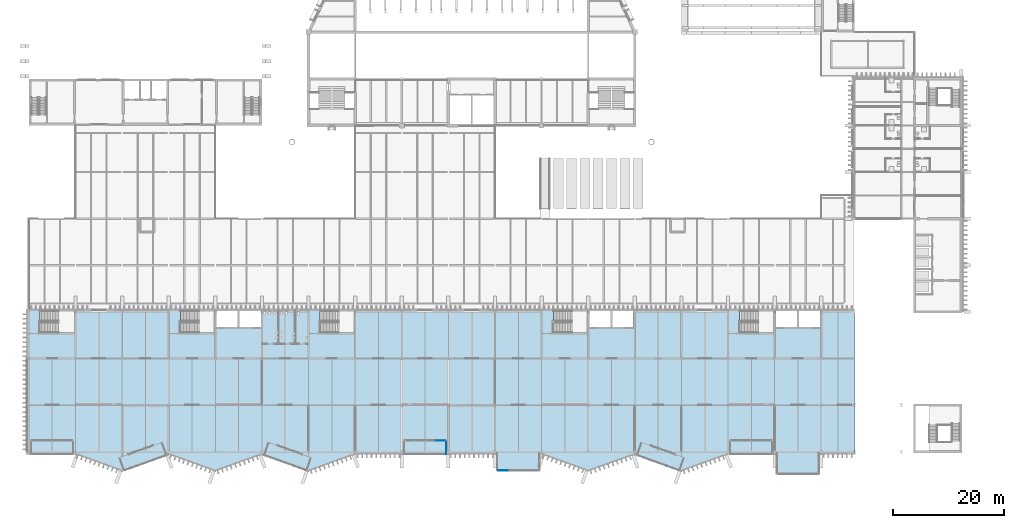
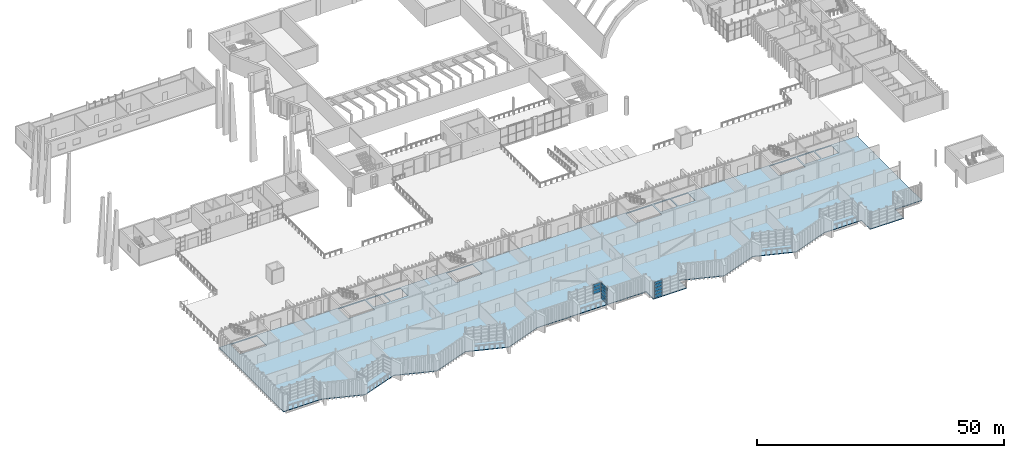
# One storey, part 48 of 96: 13 plates, 1 slab, 3 elements without a shape of their own.
"""IFC4 building model written with IfcOpenShell, lengths in metres."""

from ifc_helpers import new_model, si_unit, direction, frame, origin, origin_2d, place, context, subcontext, project, spatial, polyline, rectangle, outline, extrude, material, layer, layer_set, type_object, element, aggregate, save


model = new_model("IFC4")

# Units and contexts
model_context = context("Model", 3, precision=1e-05, world=origin(), true_north=direction((0.0, 1.0)))
body_context = subcontext(model_context, "Body", "Model", "MODEL_VIEW")
ifc_project = project(units=[si_unit("LENGTHUNIT", "METRE"), si_unit("AREAUNIT", "SQUARE_METRE"), si_unit("VOLUMEUNIT", "CUBIC_METRE"), si_unit("PLANEANGLEUNIT", "RADIAN"), si_unit("MASSUNIT", "GRAM", prefix="KILO")], contexts=[model_context])

# Site, building, storey
site_placement = place(None, origin())
site = spatial("IfcSite", under=ifc_project, at=site_placement, CompositionType="ELEMENT")
building_placement = place(site_placement, origin())
building = spatial("IfcBuilding", under=site, at=building_placement, Name="Cresset Court Congress Hotel", CompositionType="ELEMENT")
storey_placement = place(building_placement, frame((0.0, 0.0, 6.0)))
storey = spatial("IfcBuildingStorey", under=building, at=storey_placement, Name="L01", CompositionType="ELEMENT", Elevation=6.0)

# Curtain wall, plates
ifc_material_1 = material(Name="Aluminium frame with double glazing", Category="aluminium")
ifc_layer_1 = layer(ifc_material_1, 0.199951171875)
ifc_layer_set_1 = layer_set([ifc_layer_1], Name="Glazed box curtain wall 1680 module")
curtain_wall_type = type_object("IfcCurtainWallType", Name="Glazed box curtain wall 1680 module", PredefinedType="NOTDEFINED", material=ifc_layer_set_1)
curtain_wall_1_placement = place(storey_placement, origin())
curtain_wall_1 = element("IfcCurtainWall", 1, at=curtain_wall_1_placement, inside=storey, type_object=curtain_wall_type, Name="Glazed box S0109 front", PredefinedType="NOTDEFINED")
ifc_material_2 = material(Name="Toughened double glazing", Category="glass")
ifc_layer_2 = layer(ifc_material_2, 0.028076171875)
ifc_layer_set_2 = layer_set([ifc_layer_2], Name="Box glass panel 28")
plate_type_1 = type_object("IfcPlateType", Name="Box glass panel 28", PredefinedType="CURTAIN_PANEL", material=ifc_layer_set_2)
plate_1_placement = place(storey_placement, frame((82.56005859375, 2.0, 1.68994140625), z_axis=(0.0, 0.0, 1.0), x_axis=(1.0, 0.0, 0.0)))
plate_1 = element("IfcPlate", 2, at=plate_1_placement, type_object=plate_type_1, Name="B-X1 panel 4.3", PredefinedType="CURTAIN_PANEL", context=body_context, shape_type="SweptSolid", body=[
    extrude(rectangle(XDim=1.760009765625, YDim=0.028076171875, at=origin_2d()), origin(), (0.0, 0.0, 1.0), 0.77001953125),
])
plate_2_placement = place(storey_placement, frame((82.56005859375, 2.0, 2.52001953125), z_axis=(0.0, 0.0, 1.0), x_axis=(1.0, 0.0, 0.0)))
plate_2 = element("IfcPlate", 3, at=plate_2_placement, type_object=plate_type_1, Name="B-X1 panel 4.4", PredefinedType="CURTAIN_PANEL", context=body_context, shape_type="SweptSolid", body=[
    extrude(rectangle(XDim=1.760009765625, YDim=0.028076171875, at=origin_2d()), origin(), (0.0, 0.0, 1.0), 0.77001953125),
])

curtain_wall_2_placement = place(storey_placement, origin())
curtain_wall_2 = element("IfcCurtainWall", 4, at=curtain_wall_2_placement, inside=storey, type_object=curtain_wall_type, Name="Glazed box S0109 side", PredefinedType="NOTDEFINED")
plate_3_placement = place(storey_placement, frame((83.60009765625, 0.699951171875, 0.06005859375), z_axis=(0.0, 0.0, 1.0), x_axis=(0.0, 1.0, 0.0)))
plate_3 = element("IfcPlate", 5, at=plate_3_placement, type_object=plate_type_1, Name="B-X1 panel 1.1", PredefinedType="CURTAIN_PANEL", context=body_context, shape_type="SweptSolid", body=[
    extrude(rectangle(XDim=2.280029296875, YDim=0.028076171875, at=origin_2d()), origin(), (0.0, 0.0, 1.0), 0.739990234375),
])
plate_4_placement = place(storey_placement, frame((83.60009765625, 0.699951171875, 0.860107421875), z_axis=(0.0, 0.0, 1.0), x_axis=(0.0, 1.0, 0.0)))
plate_4 = element("IfcPlate", 6, at=plate_4_placement, type_object=plate_type_1, Name="B-X1 panel 1.2", PredefinedType="CURTAIN_PANEL", context=body_context, shape_type="SweptSolid", body=[
    extrude(rectangle(XDim=2.280029296875, YDim=0.028076171875, at=origin_2d()), origin(), (0.0, 0.0, 1.0), 0.77001953125),
])
plate_5_placement = place(storey_placement, frame((83.60009765625, 0.699951171875, 1.68994140625), z_axis=(0.0, 0.0, 1.0), x_axis=(0.0, 1.0, 0.0)))
plate_5 = element("IfcPlate", 7, at=plate_5_placement, type_object=plate_type_1, Name="B-X1 panel 1.3", PredefinedType="CURTAIN_PANEL", context=body_context, shape_type="SweptSolid", body=[
    extrude(rectangle(XDim=2.280029296875, YDim=0.028076171875, at=origin_2d()), origin(), (0.0, 0.0, 1.0), 0.77001953125),
])
plate_6_placement = place(storey_placement, frame((83.60009765625, 0.699951171875, 2.52001953125), z_axis=(0.0, 0.0, 1.0), x_axis=(0.0, 1.0, 0.0)))
plate_6 = element("IfcPlate", 8, at=plate_6_placement, type_object=plate_type_1, Name="B-X1 panel 1.4", PredefinedType="CURTAIN_PANEL", context=body_context, shape_type="SweptSolid", body=[
    extrude(rectangle(XDim=2.280029296875, YDim=0.028076171875, at=origin_2d()), origin(), (0.0, 0.0, 1.0), 0.77001953125),
])

curtain_wall_3_placement = place(storey_placement, origin())
curtain_wall_3 = element("IfcCurtainWall", 9, at=curtain_wall_3_placement, inside=storey, type_object=curtain_wall_type, Name="Glazed box S0112 front", PredefinedType="NOTDEFINED")
plate_7_placement = place(storey_placement, frame((93.840087890625, -3.39990234375, 0.06005859375), z_axis=(0.0, 0.0, 1.0), x_axis=(1.0, 0.0, 0.0)))
plate_7 = element("IfcPlate", 10, at=plate_7_placement, type_object=plate_type_1, Name="B-X1 panel 1.1", PredefinedType="CURTAIN_PANEL", context=body_context, shape_type="SweptSolid", body=[
    extrude(rectangle(XDim=1.760009765625, YDim=0.028076171875, at=origin_2d()), origin(), (0.0, 0.0, 1.0), 0.739990234375),
])
plate_8_placement = place(storey_placement, frame((93.840087890625, -3.39990234375, 0.860107421875), z_axis=(0.0, 0.0, 1.0), x_axis=(1.0, 0.0, 0.0)))
plate_8 = element("IfcPlate", 11, at=plate_8_placement, type_object=plate_type_1, Name="B-X1 panel 1.2", PredefinedType="CURTAIN_PANEL", context=body_context, shape_type="SweptSolid", body=[
    extrude(rectangle(XDim=1.760009765625, YDim=0.028076171875, at=origin_2d()), origin(), (0.0, 0.0, 1.0), 0.77001953125),
])
plate_9_placement = place(storey_placement, frame((93.840087890625, -3.39990234375, 1.68994140625), z_axis=(0.0, 0.0, 1.0), x_axis=(1.0, 0.0, 0.0)))
plate_9 = element("IfcPlate", 12, at=plate_9_placement, type_object=plate_type_1, Name="B-X1 panel 1.3", PredefinedType="CURTAIN_PANEL", context=body_context, shape_type="SweptSolid", body=[
    extrude(rectangle(XDim=1.760009765625, YDim=0.028076171875, at=origin_2d()), origin(), (0.0, 0.0, 1.0), 0.77001953125),
])
plate_10_placement = place(storey_placement, frame((93.840087890625, -3.39990234375, 2.52001953125), z_axis=(0.0, 0.0, 1.0), x_axis=(1.0, 0.0, 0.0)))
plate_10 = element("IfcPlate", 13, at=plate_10_placement, type_object=plate_type_1, Name="B-X1 panel 1.4", PredefinedType="CURTAIN_PANEL", context=body_context, shape_type="SweptSolid", body=[
    extrude(rectangle(XDim=1.760009765625, YDim=0.028076171875, at=origin_2d()), origin(), (0.0, 0.0, 1.0), 0.77001953125),
])

# Plate
ifc_material_3 = material(Name="Insulated aluminium spandrel panel", Category="aluminium")
ifc_layer_3 = layer(ifc_material_3, 0.0400390625)
ifc_layer_set_3 = layer_set([ifc_layer_3], Name="Box spandrel panel 40")
plate_type_2 = type_object("IfcPlateType", Name="Box spandrel panel 40", PredefinedType="CURTAIN_PANEL", material=ifc_layer_set_3)
plate_11_placement = place(storey_placement, frame((82.56005859375, 2.0, 3.35009765625), z_axis=(0.0, 0.0, 1.0), x_axis=(1.0, 0.0, 0.0)))
plate_11 = element("IfcPlate", 14, at=plate_11_placement, type_object=plate_type_2, Name="B-X1 spandrel panel 4.5", PredefinedType="CURTAIN_PANEL", context=body_context, shape_type="SweptSolid", body=[
    extrude(rectangle(XDim=1.760009765625, YDim=0.0400390625, at=origin_2d()), origin(), (0.0, 0.0, 1.0), 0.639892578125),
])

aggregate(curtain_wall_1, [plate_1, plate_2, plate_11])

plate_12_placement = place(storey_placement, frame((83.60009765625, 0.699951171875, 3.35009765625), z_axis=(0.0, 0.0, 1.0), x_axis=(0.0, 1.0, 0.0)))
plate_12 = element("IfcPlate", 15, at=plate_12_placement, type_object=plate_type_2, Name="B-X1 spandrel panel 1.5", PredefinedType="CURTAIN_PANEL", context=body_context, shape_type="SweptSolid", body=[
    extrude(rectangle(XDim=2.280029296875, YDim=0.0400390625, at=origin_2d()), origin(), (0.0, 0.0, 1.0), 0.639892578125),
])

aggregate(curtain_wall_2, [plate_3, plate_4, plate_5, plate_6, plate_12])

plate_13_placement = place(storey_placement, frame((93.840087890625, -3.39990234375, 3.35009765625), z_axis=(0.0, 0.0, 1.0), x_axis=(1.0, 0.0, 0.0)))
plate_13 = element("IfcPlate", 16, at=plate_13_placement, type_object=plate_type_2, Name="B-X1 spandrel panel 1.5", PredefinedType="CURTAIN_PANEL", context=body_context, shape_type="SweptSolid", body=[
    extrude(rectangle(XDim=1.760009765625, YDim=0.0400390625, at=origin_2d()), origin(), (0.0, 0.0, 1.0), 0.639892578125),
])

aggregate(curtain_wall_3, [plate_7, plate_8, plate_9, plate_10, plate_13])

# Slab
ifc_material_4 = material(Name="Concrete C35", Category="concrete")
ifc_layer_4 = layer(ifc_material_4, 0.14990234375)
ifc_layer_set_4 = layer_set([ifc_layer_4], Name="Composite deck slab 150")
slab_type = type_object("IfcSlabType", Name="Composite deck slab 150", PredefinedType="FLOOR", material=ifc_layer_set_4)
slab_placement = place(storey_placement, frame((0.0, 0.0, -0.14990234375)))
element("IfcSlab", 17, at=slab_placement, inside=storey, type_object=slab_type, Name="Floor slab L01", PredefinedType="FLOOR", context=body_context, shape_type="SweptSolid", body=[
    extrude(outline(polyline([(143.10009765625, -0.5), (134.39990234375, -0.5), (126.0, -3.550048828125), (117.60009765625, -0.550048828125), (109.199951171875, -3.550048828125), (100.800048828125, -0.5), (100.5, -0.5), (100.5, -3.5), (92.699951171875, -3.5), (92.699951171875, -0.5), (67.199951171875, -0.5), (58.800048828125, -3.550048828125), (50.39990234375, -0.550048828125), (42.0, -3.550048828125), (33.60009765625, -0.550048828125), (25.199951171875, -3.550048828125), (16.800048828125, -0.5), (7.89990234375, -0.5), (7.89990234375, 25.699951171875), (157.199951171875, 25.699951171875), (157.199951171875, -0.5), (150.89990234375, -0.5), (150.89990234375, -4.10009765625), (143.10009765625, -4.10009765625), (143.10009765625, -0.5)]), holes=[polyline([(10.380859375, 21.449951171875), (16.64990234375, 21.449951171875), (16.64990234375, 25.39990234375), (10.380859375, 25.39990234375), (10.380859375, 21.449951171875)]), polyline([(35.70068359375, 21.449951171875), (41.85009765625, 21.449951171875), (41.85009765625, 25.39990234375), (35.70068359375, 25.39990234375), (35.70068359375, 21.449951171875)]), polyline([(60.90087890625, 21.449951171875), (67.050048828125, 21.449951171875), (67.050048828125, 25.39990234375), (60.90087890625, 25.39990234375), (60.90087890625, 21.449951171875)]), polyline([(102.90087890625, 21.449951171875), (109.050048828125, 21.449951171875), (109.050048828125, 25.39990234375), (102.90087890625, 25.39990234375), (102.90087890625, 21.449951171875)]), polyline([(136.500732421875, 21.449951171875), (142.64990234375, 21.449951171875), (142.64990234375, 25.39990234375), (136.500732421875, 25.39990234375), (136.500732421875, 21.449951171875)]), polyline([(42.199951171875, 22.449951171875), (46.050048828125, 22.449951171875), (46.050048828125, 25.39990234375), (42.199951171875, 25.39990234375), (42.199951171875, 22.449951171875)]), polyline([(46.35009765625, 22.449951171875), (50.199951171875, 22.449951171875), (50.199951171875, 25.39990234375), (46.35009765625, 25.39990234375), (46.35009765625, 22.449951171875)]), polyline([(109.39990234375, 22.449951171875), (113.25, 22.449951171875), (113.25, 25.39990234375), (109.39990234375, 25.39990234375), (109.39990234375, 22.449951171875)]), polyline([(113.550048828125, 22.449951171875), (117.39990234375, 22.449951171875), (117.39990234375, 25.39990234375), (113.550048828125, 25.39990234375), (113.550048828125, 22.449951171875)]), polyline([(143.0, 22.449951171875), (146.85009765625, 22.449951171875), (146.85009765625, 25.39990234375), (143.0, 25.39990234375), (143.0, 22.449951171875)]), polyline([(147.14990234375, 22.449951171875), (151.0, 22.449951171875), (151.0, 25.39990234375), (147.14990234375, 25.39990234375), (147.14990234375, 22.449951171875)])]), origin(), (0.0, 0.0, 1.0), 0.14990234375),
])

save(model, "model.ifc")
